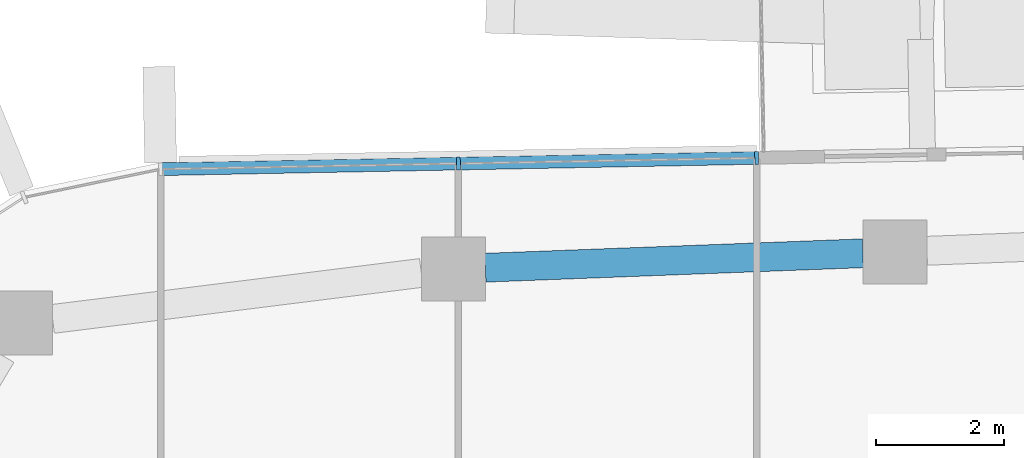
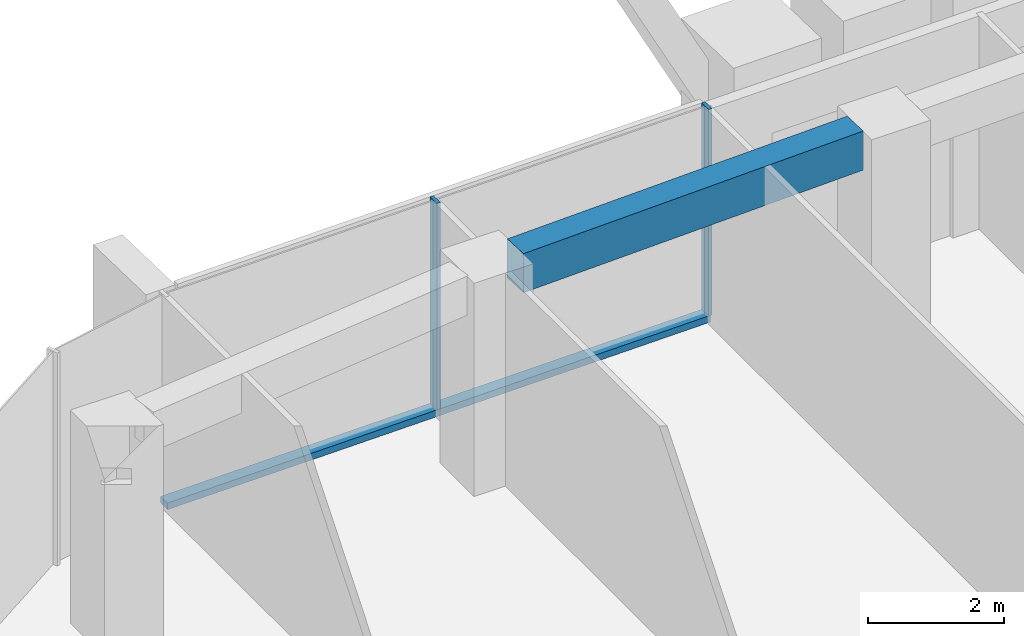
# One storey, part 7 of 24: 3 members, 1 beam, 1 element without a shape of its own.
"""IFC4 building model written with IfcOpenShell, lengths in metres."""

from ifc_helpers import new_model, si_unit, direction, frame, origin, origin_2d, place, context, subcontext, project, spatial, rectangle, extrude, material, layer, layer_set, material_profile, profile_set, type_object, element, aggregate, save


model = new_model("IFC4")

# Units and contexts
model_context = context("Model", 3, precision=1e-05, world=origin(), true_north=direction((0.0, 1.0)))
body_context = subcontext(model_context, "Body", "Model", "MODEL_VIEW")
ifc_project = project(units=[si_unit("LENGTHUNIT", "METRE"), si_unit("AREAUNIT", "SQUARE_METRE"), si_unit("VOLUMEUNIT", "CUBIC_METRE"), si_unit("PLANEANGLEUNIT", "RADIAN"), si_unit("MASSUNIT", "GRAM", prefix="KILO")], contexts=[model_context])

# Site, building, storey
site_placement = place(None, origin())
site = spatial("IfcSite", under=ifc_project, at=site_placement, CompositionType="ELEMENT")
building_placement = place(site_placement, origin())
building = spatial("IfcBuilding", under=site, at=building_placement, Name="Dongbaek Canopy Tower", CompositionType="ELEMENT")
storey_placement = place(building_placement, frame((0.0, 0.0, 298.39990234375)))
storey = spatial("IfcBuildingStorey", under=building, at=storey_placement, Name="L63", CompositionType="ELEMENT", Elevation=298.39990234375)

# Curtain wall, members
ifc_material_1 = material(Name="Aluminium 6063-T6 pale anodised", Category="aluminium")
ifc_layer = layer(ifc_material_1, 0.199951171875)
ifc_layer_set = layer_set([ifc_layer], Name="CW-1 unitised tower curtain wall")
curtain_wall_type = type_object("IfcCurtainWallType", Name="CW-1 unitised tower curtain wall", PredefinedType="NOTDEFINED", material=ifc_layer_set)
curtain_wall_placement = place(storey_placement, origin())
curtain_wall = element("IfcCurtainWall", 1, at=curtain_wall_placement, inside=storey, type_object=curtain_wall_type, Name="CW-1 curtain wall F1.1", PredefinedType="NOTDEFINED")
ifc_material_2 = material(Name="Aluminium 6063-T6 pale anodised", Category="aluminium")
ifc_material_profile_1 = material_profile(ifc_material_2, rectangle(XDim=0.199951171875, YDim=0.06005859375, at=origin_2d()), Name="CW-1 mullion 60 x 200")
ifc_profile_set_1 = profile_set([ifc_material_profile_1], Name="Aluminium 6063-T6 pale anodised")
member_type_1 = type_object("IfcMemberType", Name="CW-1 mullion 60 x 200", PredefinedType="MULLION", material=ifc_profile_set_1)
member_1_placement = place(storey_placement, frame((-3.574951171875, 28.896728515625, 0.1201171875), z_axis=(0.0, 0.0, 1.0), x_axis=(-0.018905076744, 0.999821283067, 0.0)))
member_1 = element("IfcMember", 2, at=member_1_placement, type_object=member_type_1, Name="CW-1 mullion F1.1.1", PredefinedType="MULLION", context=body_context, shape_type="SweptSolid", body=[
    extrude(rectangle(XDim=0.199951171875, YDim=0.06005859375, at=origin_2d()), origin(), (0.0, 0.0, 1.0), 3.699951171875),
])
member_2_placement = place(storey_placement, frame((-8.229736328125, 28.808837890625, 0.1201171875), z_axis=(0.0, 0.0, 1.0), x_axis=(-0.018905076744, 0.999821283067, 0.0)))
member_2 = element("IfcMember", 3, at=member_2_placement, type_object=member_type_1, Name="CW-1 mullion F1.1.2", PredefinedType="MULLION", context=body_context, shape_type="SweptSolid", body=[
    extrude(rectangle(XDim=0.199951171875, YDim=0.06005859375, at=origin_2d()), origin(), (0.0, 0.0, 1.0), 3.699951171875),
])
ifc_material_3 = material(Name="Aluminium 6063-T6 pale anodised", Category="aluminium")
ifc_material_profile_2 = material_profile(ifc_material_3, rectangle(XDim=0.199951171875, YDim=0.1201171875, at=origin_2d()), Name="CW-1 transom 120 x 200")
ifc_profile_set_2 = profile_set([ifc_material_profile_2], Name="Aluminium 6063-T6 pale anodised")
member_type_2 = type_object("IfcMemberType", Name="CW-1 transom 120 x 200", PredefinedType="USERDEFINED", material=ifc_profile_set_2)
member_3_placement = place(storey_placement, frame((-3.574951171875, 28.896728515625, 0.06005859375), z_axis=(-0.999821440604, -0.018896743332, 0.0), x_axis=(0.018896743332, -0.999821440604, 0.0)))
member_3 = element("IfcMember", 4, at=member_3_placement, type_object=member_type_2, Name="CW-1 transom F1.1.1", ObjectType="TRANSOM", PredefinedType="USERDEFINED", context=body_context, shape_type="SweptSolid", body=[
    extrude(rectangle(XDim=0.199951171875, YDim=0.1201171875, at=origin_2d()), origin(), (0.0, 0.0, 1.0), 9.30224609375),
])
aggregate(curtain_wall, [member_1, member_2, member_3])

# Beam
ifc_material_4 = material(Name="Concrete C60", Category="concrete")
ifc_material_profile_3 = material_profile(ifc_material_4, rectangle(XDim=0.449951171875, YDim=0.699951171875, at=origin_2d()), Name="RC EDGE BEAM 450x700 C60")
ifc_profile_set_3 = profile_set([ifc_material_profile_3], Name="Concrete C60")
beam_type = type_object("IfcBeamType", Name="RC EDGE BEAM 450x700 C60", PredefinedType="BEAM", material=ifc_profile_set_3)
beam_placement = place(storey_placement, frame((-7.80908203125, 27.18310546875, 3.47021484375), z_axis=(0.999267644391, 0.038264538061, 0.0), x_axis=(-0.038264538061, 0.999267644391, 0.0)))
element("IfcBeam", 5, at=beam_placement, inside=storey, type_object=beam_type, Name="EDGEBEAM:L63:14", PredefinedType="BEAM", context=body_context, shape_type="SweptSolid", body=[
    extrude(rectangle(XDim=0.449951171875, YDim=0.699951171875, at=origin_2d()), origin(), (0.0, 0.0, 1.0), 5.8955078125),
])

save(model, "model.ifc")
